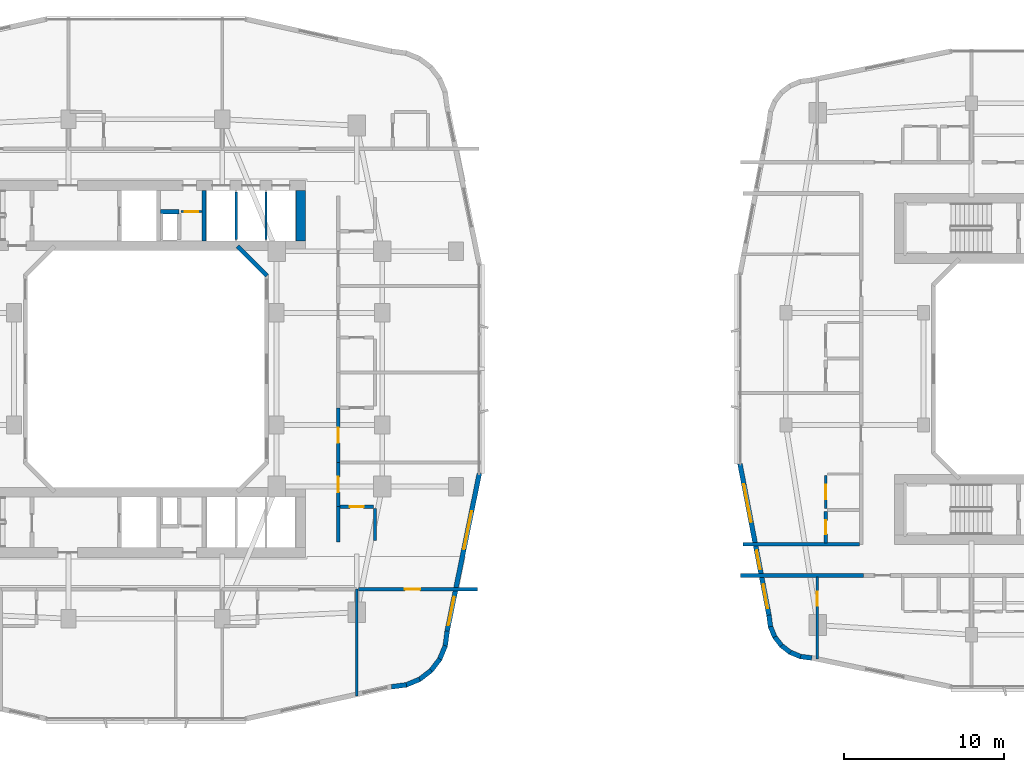
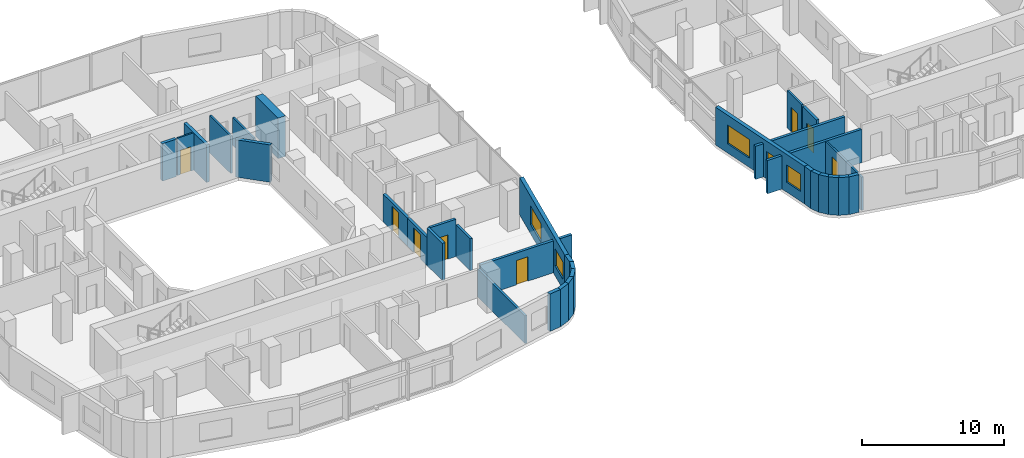
# One storey, part 15 of 27: 33 walls, 8 doors, 5 windows, 13 openings.
"""IFC4 building model written with IfcOpenShell, lengths in metres."""

import ifcopenshell
import ifcopenshell.guid

model = None  # the IFC model being written
_history = None  # IfcOwnerHistory: only IFC2X3 demands one
_inside = {}  # id of a spatial element -> (the spatial element, [elements in it])
_under = {}  # id of a project, library or spatial element -> (it, [spatial elements below it])
_declared = {}  # id of a project -> (the project, [libraries it declares])
_typed = {}  # id of a type object -> (the type object, [elements of that type])
_made_of = {}  # id of a material, layer set ... -> (it, [elements and type objects made of it])


def new_model(schema):
    """Start an empty IFC model of exactly this schema.

    Asked for "IFC4X3", IfcOpenShell would pick the latest addendum, in which some entities
    have other attributes; the version numbers below select the first issue.
    IFC2X3 requires an IfcOwnerHistory on every rooted entity: one is made here for all.
    """
    global model, _history
    if schema == "IFC4X3":
        model = ifcopenshell.file(schema_version=(4, 3, 0, 0))
    else:
        model = ifcopenshell.file(schema=schema)
    _inside.clear()
    _under.clear()
    _declared.clear()
    _typed.clear()
    _made_of.clear()
    _history = None
    if model.schema == "IFC2X3":
        org = make("IfcOrganization", Name="unknown")
        user = make(
            "IfcPersonAndOrganization",
            ThePerson=make("IfcPerson", FamilyName="unknown"),
            TheOrganization=org,
        )
        app = make(
            "IfcApplication",
            ApplicationDeveloper=org,
            Version="unknown",
            ApplicationFullName="unknown",
            ApplicationIdentifier="unknown",
        )
        _history = make(
            "IfcOwnerHistory",
            OwningUser=user,
            OwningApplication=app,
            ChangeAction="ADDED",
            CreationDate=0,
        )
    return model


def make(cls, **values):
    """One entity of the class cls with the attributes given. An attribute that is None is left unset."""
    return model.create_entity(
        cls, **{name: value for name, value in values.items() if value is not None}
    )


def rooted(cls, **values):
    """An entity with a GlobalId (a new one), such as an element, a storey or a relation."""
    return make(cls, GlobalId=ifcopenshell.guid.new(), OwnerHistory=_history, **values)


def si_unit(unit_type, name, prefix=None):
    """IfcSIUnit, for example si_unit("LENGTHUNIT", "METRE", prefix="MILLI")."""
    return make("IfcSIUnit", UnitType=unit_type, Prefix=prefix, Name=name)


def derived_unit(unit_type, elements):
    """IfcDerivedUnit: a product of units, each with its exponent."""
    return make(
        "IfcDerivedUnit",
        Elements=[
            make("IfcDerivedUnitElement", Unit=unit, Exponent=power)
            for unit, power in elements
        ],
        UnitType=unit_type,
    )


def assignment(units):
    """IfcUnitAssignment: the units of a project."""
    return None if units is None else make("IfcUnitAssignment", Units=units)


def point(xyz):
    """IfcCartesianPoint."""
    return None if xyz is None else make("IfcCartesianPoint", Coordinates=xyz)


def direction(xyz):
    """IfcDirection."""
    return None if xyz is None else make("IfcDirection", DirectionRatios=xyz)


def frame(location, z_axis=None, x_axis=None):
    """IfcAxis2Placement3D, a coordinate frame: its origin and axes. An axis left out is left unset."""
    return make(
        "IfcAxis2Placement3D",
        Location=point(location),
        Axis=direction(z_axis),
        RefDirection=direction(x_axis),
    )


def frame_2d(location, x_axis=None):
    """IfcAxis2Placement2D, a coordinate frame in the plane: its origin and x axis."""
    return make(
        "IfcAxis2Placement2D", Location=point(location), RefDirection=direction(x_axis)
    )


def origin():
    """The frame at (0, 0, 0) with its axes left unset."""
    return frame((0.0, 0.0, 0.0))


def place(relative_to, where):
    """IfcLocalPlacement: puts the frame where relative to a parent placement (None: the world)."""
    return make(
        "IfcLocalPlacement", PlacementRelTo=relative_to, RelativePlacement=where
    )


def context(
    kind, dimensions, precision=None, world=None, true_north=None, identifier=None
):
    """IfcGeometricRepresentationContext, for example the 3D "Model" context."""
    return make(
        "IfcGeometricRepresentationContext",
        ContextIdentifier=identifier,
        ContextType=kind,
        CoordinateSpaceDimension=dimensions,
        Precision=precision,
        WorldCoordinateSystem=world,
        TrueNorth=true_north,
    )


def subcontext(parent, identifier, kind, view, scale=None):
    """IfcGeometricRepresentationSubContext, for example "Body" below "Model"."""
    return make(
        "IfcGeometricRepresentationSubContext",
        ContextIdentifier=identifier,
        ContextType=kind,
        ParentContext=parent,
        TargetScale=scale,
        TargetView=view,
    )


def project(units=None, contexts=None):
    """IfcProject with its units and contexts."""
    return rooted(
        "IfcProject",
        Name="project",
        RepresentationContexts=contexts,
        UnitsInContext=assignment(units),
    )


def spatial(cls, under=None, at=None, **own):
    """A site, building, storey or space (cls), placed at a placement, below another one or the project."""
    s = rooted(cls, ObjectPlacement=at, **own)
    if under is not None:
        _under.setdefault(under.id(), (under, []))[1].append(s)
    return s


def profile(cls, at=None, kind="AREA", **sizes):
    """A parametric profile (cls). Its sizes go by their IFC names, for example OverallWidth=200.0."""
    return make(cls, ProfileType=kind, Position=at, **sizes)


def rectangle(**sizes):
    """IfcRectangleProfileDef."""
    return profile("IfcRectangleProfileDef", **sizes)


def extrude(swept, where, along, depth):
    """IfcExtrudedAreaSolid: the profile swept, set in the frame where, extruded along a direction by depth."""
    return make(
        "IfcExtrudedAreaSolid",
        SweptArea=swept,
        Position=where,
        ExtrudedDirection=direction(along),
        Depth=depth,
    )


def shape(context_of_items, identifier, shape_type, items):
    """IfcShapeRepresentation: the items that make up one representation, for example the "Body"."""
    return make(
        "IfcShapeRepresentation",
        ContextOfItems=context_of_items,
        RepresentationIdentifier=identifier,
        RepresentationType=shape_type,
        Items=items,
    )


def material(Name=None, Category=None):
    """IfcMaterial."""
    return make("IfcMaterial", Name=Name, Category=Category)


def layer(
    of_material, thickness, ventilated=None, Name=None, Category=None, Priority=None
):
    """IfcMaterialLayer: one layer of a wall or slab, of a material (None: an air gap)."""
    return make(
        "IfcMaterialLayer",
        Material=of_material,
        LayerThickness=thickness,
        IsVentilated=ventilated,
        Name=Name,
        Category=Category,
        Priority=Priority,
    )


def layer_set(layers, Name=None):
    """IfcMaterialLayerSet."""
    return make("IfcMaterialLayerSet", MaterialLayers=layers, LayerSetName=Name)


def made_of(thing, what):
    """Note that an element or type object is made of a material, layer set ...; save() writes the relation."""
    if what is not None:
        _made_of.setdefault(what.id(), (what, []))[1].append(thing)
    return thing


def type_object(cls, material=None, **own):
    """A type object (cls), such as IfcWallType, which elements share."""
    return made_of(rooted(cls, **own), material)


def element(
    cls,
    number,
    at=None,
    inside=None,
    cuts=None,
    type_object=None,
    material=None,
    context=None,
    identifier="Body",
    shape_type=None,
    held_by="IfcProductDefinitionShape",
    body=None,
    shapes=None,
    **own,
):
    """One element of the class cls, such as IfcWall. Its Tag is "e" and its number.

    at: its placement. inside: the storey or other place that contains it. cuts: it is an
    opening in that element (IfcRelVoidsElement). A single representation is given by context,
    identifier, shape_type and body (its items); several are given by shapes. held_by: the class
    of the entity that holds the representations. save() writes the other relations.
    """
    e = rooted(cls, Tag="e%d" % number, ObjectPlacement=at, **own)
    if body is not None:
        shapes = [shape(context, identifier, shape_type, body)]
    if shapes is not None:
        e.Representation = make(held_by, Representations=shapes)
    if inside is not None:
        _inside.setdefault(inside.id(), (inside, []))[1].append(e)
    if cuts is not None:
        rooted(
            "IfcRelVoidsElement", RelatingBuildingElement=cuts, RelatedOpeningElement=e
        )
    if type_object is not None:
        _typed.setdefault(type_object.id(), (type_object, []))[1].append(e)
    return made_of(e, material)


def fill(opening, filler):
    """IfcRelFillsElement: the door or window that sits in an opening."""
    return rooted(
        "IfcRelFillsElement",
        RelatingOpeningElement=opening,
        RelatedBuildingElement=filler,
    )


def aggregate(whole, parts):
    """IfcRelAggregates: a whole, such as a stair, and the parts it consists of."""
    return rooted("IfcRelAggregates", RelatingObject=whole, RelatedObjects=parts)


def save(model, path):
    """Write the relations noted so far, then the file.

    IfcRelAggregates (storeys below a building ...), IfcRelContainedInSpatialStructure (elements
    in a storey), IfcRelDefinesByType, IfcRelAssociatesMaterial and IfcRelDeclares: one each for
    every whole, place, type object, material and project.
    """
    for whole, parts in _under.values():
        aggregate(whole, parts)
    for where, things in _inside.values():
        rooted(
            "IfcRelContainedInSpatialStructure",
            RelatedElements=things,
            RelatingStructure=where,
        )
    for kind, things in _typed.values():
        rooted("IfcRelDefinesByType", RelatedObjects=things, RelatingType=kind)
    for what, things in _made_of.values():
        rooted("IfcRelAssociatesMaterial", RelatedObjects=things, RelatingMaterial=what)
    for by, libraries in _declared.values():
        rooted("IfcRelDeclares", RelatingContext=by, RelatedDefinitions=libraries)
    model.write(path)


model = new_model("IFC4")

# Units and contexts
model_context = context("Model", 3, precision=1e-05, world=origin(), true_north=direction((0.0, 1.0)))
body_context = subcontext(model_context, "Body", "Model", "MODEL_VIEW")
ifc_project = project(units=[si_unit("LENGTHUNIT", "METRE"), si_unit("AREAUNIT", "SQUARE_METRE"), si_unit("VOLUMEUNIT", "CUBIC_METRE"), si_unit("PLANEANGLEUNIT", "RADIAN"), si_unit("MASSUNIT", "GRAM", prefix="KILO"), derived_unit("THERMALTRANSMITTANCEUNIT", [(si_unit("POWERUNIT", "WATT"), 1), (si_unit("LENGTHUNIT", "METRE"), -2), (si_unit("THERMODYNAMICTEMPERATUREUNIT", "KELVIN"), -1)])], contexts=[model_context])

# Site, building, storey
site_placement = place(None, origin())
site = spatial("IfcSite", under=ifc_project, at=site_placement, CompositionType="ELEMENT")
building_placement = place(site_placement, origin())
building = spatial("IfcBuilding", under=site, at=building_placement, Name="Kivonza Crest Hotel", CompositionType="ELEMENT")
storey_placement = place(building_placement, frame((0.0, 0.0, 38.0)))
storey = spatial("IfcBuildingStorey", under=building, at=storey_placement, Name="L09", CompositionType="ELEMENT", Elevation=38.0)

# Wall
ifc_material_1 = material(Name="High-density acoustic masonry inter-tenancy wall", Category="masonry")
ifc_layer_1 = layer(ifc_material_1, 0.179931640625)
ifc_layer_set_1 = layer_set([ifc_layer_1], Name="High-density acoustic masonry inter-tenancy wall")
wall_type_1 = type_object("IfcWallType", Name="WL-ACOU-180", PredefinedType="SOLIDWALL", material=ifc_layer_set_1)
wall_1_placement = place(storey_placement, frame((34.199951171875, 4.575927734375, 0.0), z_axis=(0.0, 0.0, 1.0), x_axis=(0.0, 1.0, 0.0)))
element("IfcWall", 1, at=wall_1_placement, inside=storey, type_object=wall_type_1, Name="L09 interior partition WA-L09-T1S-DIV3", PredefinedType="SOLIDWALL", context=body_context, shape_type="SweptSolid", body=[
    extrude(rectangle(XDim=6.674072265625, YDim=0.179931640625, at=frame_2d((3.3369140625, 0.0))), origin(), (0.0, 0.0, 1.0), 2.39501953125),
])

# Wall, opening, door
ifc_material_2 = material(Name="Autoclaved aerated concrete blockwork", Category="masonry")
ifc_layer_2 = layer(ifc_material_2, 0.219970703125)
ifc_layer_set_2 = layer_set([ifc_layer_2], Name="Autoclaved aerated concrete blockwork")
wall_type_2 = type_object("IfcWallType", Name="WL-ACOU-220", PredefinedType="SOLIDWALL", material=ifc_layer_set_2)
wall_2_placement = place(storey_placement, frame((34.300048828125, 11.25, 0.0), z_axis=(0.0, 0.0, 1.0), x_axis=(1.0, 0.0, 0.0)))
wall_2 = element("IfcWall", 2, at=wall_2_placement, inside=storey, type_object=wall_type_2, Name="L09 interior partition WA-L09-BUS-MTG-N", PredefinedType="SOLIDWALL", context=body_context, shape_type="SweptSolid", body=[
    extrude(rectangle(XDim=7.43994140625, YDim=0.219970703125, at=frame_2d((3.719970703125, 0.0))), origin(), (0.0, 0.0, 1.0), 2.7451171875),
])
opening_1_placement = place(wall_2_placement, frame((2.910888671875, 0.0, 0.0)))
opening_1 = element("IfcOpeningElement", 3, at=opening_1_placement, cuts=wall_2, Name="Opening DF-60S", PredefinedType="OPENING", context=body_context, shape_type="SweptSolid", body=[
    extrude(rectangle(XDim=0.949951171875, YDim=2.10009765625, at=frame_2d((0.47509765625, 1.050048828125))), frame((0.0, 0.1201171875, 0.0), z_axis=(0.0, -1.0, 0.0), x_axis=(1.0, 0.0, 0.0)), (0.0, 0.0, 1.0), 0.239990234375),
])
ifc_material_3 = material(Name="Hardwood timber oak", Category="wood")
door_type_1 = type_object("IfcDoorType", Name="DR-FD60-950", OperationType="NOTDEFINED", PredefinedType="DOOR", material=ifc_material_3)
door_1_placement = place(opening_1_placement, frame((0.949951171875, 0.0, 0.0), z_axis=(0.0, 0.0, 1.0), x_axis=(-1.0, 0.0, 0.0)))
door_1 = element("IfcDoor", 4, at=door_1_placement, inside=storey, type_object=door_type_1, Name="L09 Private Fitness Gym Studio door", OperationType="SINGLE_SWING_RIGHT", OverallHeight=2.10009765625, OverallWidth=0.949951171875, PredefinedType="DOOR", context=body_context, shape_type="SweptSolid", body=[
    extrude(rectangle(XDim=0.949951171875, YDim=2.10009765625, at=frame_2d((0.47509765625, 1.050048828125))), frame((0.0, 0.02490234375, 0.0), z_axis=(0.0, -1.0, 0.0), x_axis=(1.0, 0.0, 0.0)), (0.0, 0.0, 1.0), 0.050048828125),
])
fill(opening_1, door_1)

# Wall
wall_3_placement = place(storey_placement, frame((33.050048828125, 14.199951171875, 0.0), z_axis=(0.0, 0.0, 1.0), x_axis=(0.0, 1.0, 0.0)))
element("IfcWall", 5, at=wall_3_placement, inside=storey, type_object=wall_type_2, Name="L09 interior partition WA-L09-E09-BCORR", PredefinedType="SOLIDWALL", context=body_context, shape_type="SweptSolid", body=[
    extrude(rectangle(XDim=2.199951171875, YDim=0.219970703125, at=frame_2d((1.10009765625, 0.0))), origin(), (0.0, 0.0, 1.0), 3.219970703125),
])

# Wall, opening, door
wall_4_placement = place(storey_placement, frame((33.050048828125, 16.39990234375, 0.0), z_axis=(0.0, 0.0, 1.0), x_axis=(0.0, 1.0, 0.0)))
wall_4 = element("IfcWall", 6, at=wall_4_placement, inside=storey, type_object=wall_type_2, Name="L09 interior partition WA-L09-E09-MCORR", PredefinedType="SOLIDWALL", context=body_context, shape_type="SweptSolid", body=[
    extrude(rectangle(XDim=2.756103515625, YDim=0.219970703125, at=frame_2d((1.3779296875, 0.0))), origin(), (0.0, 0.0, 1.0), 2.39501953125),
])
opening_2_placement = place(wall_4_placement, frame((0.903076171875, 0.0, 0.0)))
opening_2 = element("IfcOpeningElement", 7, at=opening_2_placement, cuts=wall_4, Name="Opening DU-60", PredefinedType="OPENING", context=body_context, shape_type="SweptSolid", body=[
    extrude(rectangle(XDim=0.949951171875, YDim=2.10009765625, at=frame_2d((0.47509765625, 1.050048828125))), frame((0.0, 0.1201171875, 0.0), z_axis=(0.0, -1.0, 0.0), x_axis=(1.0, 0.0, 0.0)), (0.0, 0.0, 1.0), 0.239990234375),
])
door_type_2 = type_object("IfcDoorType", Name="DR-UNIT-950", OperationType="NOTDEFINED", PredefinedType="DOOR", material=ifc_material_3)
door_2_placement = place(opening_2_placement, frame((0.949951171875, 0.0, 0.0), z_axis=(0.0, 0.0, 1.0), x_axis=(-1.0, 0.0, 0.0)))
door_2 = element("IfcDoor", 8, at=door_2_placement, inside=storey, type_object=door_type_2, Name="L09 E09 guest unit entrance fire door", OperationType="SINGLE_SWING_LEFT", OverallHeight=2.10009765625, OverallWidth=0.949951171875, PredefinedType="DOOR", context=body_context, shape_type="SweptSolid", body=[
    extrude(rectangle(XDim=0.949951171875, YDim=2.10009765625, at=frame_2d((0.47509765625, 1.050048828125))), frame((0.0, 0.02490234375, 0.0), z_axis=(0.0, -1.0, 0.0), x_axis=(1.0, 0.0, 0.0)), (0.0, 0.0, 1.0), 0.050048828125),
])
fill(opening_2, door_2)

wall_5_placement = place(storey_placement, frame((33.050048828125, 19.156005859375, 0.0), z_axis=(0.0, 0.0, 1.0), x_axis=(0.0, 1.0, 0.0)))
wall_5 = element("IfcWall", 9, at=wall_5_placement, inside=storey, type_object=wall_type_2, Name="L09 interior partition WA-L09-E10-MCORR", PredefinedType="SOLIDWALL", context=body_context, shape_type="SweptSolid", body=[
    extrude(rectangle(XDim=3.416015625, YDim=0.219970703125, at=frame_2d((1.7080078125, 0.0))), origin(), (0.0, 0.0, 1.0), 2.39501953125),
])
opening_3_placement = place(wall_5_placement, frame((1.23291015625, 0.0, 0.0)))
opening_3 = element("IfcOpeningElement", 10, at=opening_3_placement, cuts=wall_5, Name="Opening DU-60", PredefinedType="OPENING", context=body_context, shape_type="SweptSolid", body=[
    extrude(rectangle(XDim=0.949951171875, YDim=2.10009765625, at=frame_2d((0.47509765625, 1.050048828125))), frame((0.0, 0.1201171875, 0.0), z_axis=(0.0, -1.0, 0.0), x_axis=(1.0, 0.0, 0.0)), (0.0, 0.0, 1.0), 0.239990234375),
])
door_3_placement = place(opening_3_placement, frame((0.949951171875, 0.0, 0.0), z_axis=(0.0, 0.0, 1.0), x_axis=(-1.0, 0.0, 0.0)))
door_3 = element("IfcDoor", 11, at=door_3_placement, inside=storey, type_object=door_type_2, Name="L09 E10 guest unit entrance fire door", OperationType="SINGLE_SWING_RIGHT", OverallHeight=2.10009765625, OverallWidth=0.949951171875, PredefinedType="DOOR", context=body_context, shape_type="SweptSolid", body=[
    extrude(rectangle(XDim=0.949951171875, YDim=2.10009765625, at=frame_2d((0.47509765625, 1.050048828125))), frame((0.0, 0.02490234375, 0.0), z_axis=(0.0, -1.0, 0.0), x_axis=(1.0, 0.0, 0.0)), (0.0, 0.0, 1.0), 0.050048828125),
])
fill(opening_3, door_3)

# Walls
wall_6_placement = place(storey_placement, frame((58.159912109375, 12.10009765625, 0.0), z_axis=(0.0, 0.0, 1.0), x_axis=(1.0, 0.0, 0.0)))
element("IfcWall", 12, at=wall_6_placement, inside=storey, type_object=wall_type_2, Name="L09 interior partition WA-L09-A03-LCORR", PredefinedType="SOLIDWALL", context=body_context, shape_type="SweptSolid", body=[
    extrude(rectangle(XDim=7.690185546875, YDim=0.219970703125, at=frame_2d((3.84521484375, 0.0))), origin(), (0.0, 0.0, 1.0), 2.864990234375),
])
wall_7_placement = place(storey_placement, frame((58.320068359375, 14.0400390625, 0.0), z_axis=(0.0, 0.0, 1.0), x_axis=(1.0, 0.0, 0.0)))
element("IfcWall", 13, at=wall_7_placement, inside=storey, type_object=wall_type_2, Name="L09 interior partition WA-L09-T2W-ENDS", PredefinedType="SOLIDWALL", context=body_context, shape_type="SweptSolid", body=[
    extrude(rectangle(XDim=7.280029296875, YDim=0.219970703125, at=frame_2d((3.64013671875, 0.0))), origin(), (0.0, 0.0, 1.0), 2.864990234375),
])
ifc_material_4 = material(Name="Concrete C60/75", Category="concrete")
ifc_layer_3 = layer(ifc_material_4, 0.60009765625)
ifc_layer_set_3 = layer_set([ifc_layer_3], Name="Concrete C60/75")
wall_type_3 = type_object("IfcWallType", Name="WL-CORE-600", PredefinedType="SHEAR", material=ifc_layer_set_3)
wall_8_placement = place(storey_placement, frame((30.699951171875, 33.0, 0.0), z_axis=(0.0, 0.0, 1.0), x_axis=(0.0, 1.0, 0.0)))
element("IfcWall", 14, at=wall_8_placement, inside=storey, type_object=wall_type_3, Name="Core wall T1-N East L09", PredefinedType="SHEAR", context=body_context, shape_type="SweptSolid", body=[
    extrude(rectangle(XDim=3.159912109375, YDim=0.60009765625, at=frame_2d((1.580078125, 0.0))), origin(), (0.0, 0.0, 1.0), 3.5),
])
ifc_material_5 = material(Name="Precast concrete C40/50", Category="concrete")
ifc_layer_4 = layer(ifc_material_5, 0.260009765625)
ifc_layer_set_4 = layer_set([ifc_layer_4], Name="Precast concrete C40/50")
wall_type_4 = type_object("IfcWallType", Name="WL-EXT-260", PredefinedType="STANDARD", material=ifc_layer_set_4)
wall_9_placement = place(storey_placement, frame((28.595947265625, 30.827880859375, 0.0), z_axis=(0.0, 0.0, 1.0), x_axis=(-0.707059717605, 0.707153841636, 0.0)))
element("IfcWall", 15, at=wall_9_placement, inside=storey, type_object=wall_type_4, Name="L09 T1 light-well exterior wall 4", PredefinedType="STANDARD", context=body_context, shape_type="SweptSolid", body=[
    extrude(rectangle(XDim=2.59375, YDim=0.260009765625, at=frame_2d((1.296875, 0.0))), origin(), (0.0, 0.0, 1.0), 3.219970703125),
])
ifc_layer_5 = layer(ifc_material_5, 0.300048828125)
ifc_layer_set_5 = layer_set([ifc_layer_5], Name="Precast concrete C40/50")
wall_type_5 = type_object("IfcWallType", Name="WL-EXT-300", PredefinedType="STANDARD", material=ifc_layer_set_5)
wall_10_placement = place(storey_placement, frame((36.3720703125, 5.14794921875, 0.0), z_axis=(0.0, 0.0, 1.0), x_axis=(0.991359246108, 0.131174864804, 0.0)))
element("IfcWall", 16, at=wall_10_placement, inside=storey, type_object=wall_type_5, Name="L09 T1 exterior insulated wall 10", PredefinedType="STANDARD", context=body_context, shape_type="SweptSolid", body=[
    extrude(rectangle(XDim=0.93798828125, YDim=0.300048828125, at=frame_2d((0.468994140625, 0.0))), origin(), (0.0, 0.0, 1.0), 3.219970703125),
])
wall_11_placement = place(storey_placement, frame((37.251953125, 5.251953125, 0.0), z_axis=(0.0, 0.0, 1.0), x_axis=(0.924019948111, 0.382344263057, 0.0)))
element("IfcWall", 17, at=wall_11_placement, inside=storey, type_object=wall_type_5, Name="L09 T1 exterior insulated wall 11", PredefinedType="STANDARD", context=body_context, shape_type="SweptSolid", body=[
    extrude(rectangle(XDim=0.95458984375, YDim=0.300048828125, at=frame_2d((0.477294921875, 0.0))), origin(), (0.0, 0.0, 1.0), 3.219970703125),
])
wall_12_placement = place(storey_placement, frame((38.089111328125, 5.5859375, 0.0), z_axis=(0.0, 0.0, 1.0), x_axis=(0.793573440799, 0.608474481025, 0.0)))
element("IfcWall", 18, at=wall_12_placement, inside=storey, type_object=wall_type_5, Name="L09 T1 exterior insulated wall 12", PredefinedType="STANDARD", context=body_context, shape_type="SweptSolid", body=[
    extrude(rectangle(XDim=0.954833984375, YDim=0.300048828125, at=frame_2d((0.4775390625, 0.0))), origin(), (0.0, 0.0, 1.0), 3.219970703125),
])
wall_13_placement = place(storey_placement, frame((38.81201171875, 6.125, 0.0), z_axis=(0.0, 0.0, 1.0), x_axis=(0.608351047625, 0.793668068435, 0.0)))
element("IfcWall", 19, at=wall_13_placement, inside=storey, type_object=wall_type_5, Name="L09 T1 exterior insulated wall 13", PredefinedType="STANDARD", context=body_context, shape_type="SweptSolid", body=[
    extrude(rectangle(XDim=0.955078125, YDim=0.300048828125, at=frame_2d((0.4775390625, 0.0))), origin(), (0.0, 0.0, 1.0), 3.219970703125),
])
wall_14_placement = place(storey_placement, frame((39.368896484375, 6.833984375, 0.0), z_axis=(0.0, 0.0, 1.0), x_axis=(0.382344263057, 0.924019948111, 0.0)))
element("IfcWall", 20, at=wall_14_placement, inside=storey, type_object=wall_type_5, Name="L09 T1 exterior insulated wall 14", PredefinedType="STANDARD", context=body_context, shape_type="SweptSolid", body=[
    extrude(rectangle(XDim=0.95458984375, YDim=0.300048828125, at=frame_2d((0.477294921875, 0.0))), origin(), (0.0, 0.0, 1.0), 3.219970703125),
])
wall_15_placement = place(storey_placement, frame((39.72509765625, 7.6630859375, 0.0), z_axis=(0.0, 0.0, 1.0), x_axis=(0.130454512571, 0.991454295543, 0.0)))
element("IfcWall", 21, at=wall_15_placement, inside=storey, type_object=wall_type_5, Name="L09 T1 exterior insulated wall 15", PredefinedType="STANDARD", context=body_context, shape_type="SweptSolid", body=[
    extrude(rectangle(XDim=0.97314453125, YDim=0.300048828125, at=frame_2d((0.486572265625, 0.0))), origin(), (0.0, 0.0, 1.0), 3.219970703125),
])

# Wall, openings, windows
wall_16_placement = place(storey_placement, frame((39.85107421875, 8.6220703125, 0.0), z_axis=(0.0, 0.0, 1.0), x_axis=(0.199990901713, 0.979797754249, 0.0)))
wall_16 = element("IfcWall", 22, at=wall_16_placement, inside=storey, type_object=wall_type_5, Name="L09 T1 exterior insulated wall 16", PredefinedType="STANDARD", context=body_context, shape_type="SweptSolid", body=[
    extrude(rectangle(XDim=10.065185546875, YDim=0.300048828125, at=frame_2d((5.03271484375, 0.0))), origin(), (0.0, 0.0, 1.0), 3.219970703125),
])
opening_4_placement = place(wall_16_placement, frame((0.3779296875, 0.0, 0.85009765625)))
opening_4 = element("IfcOpeningElement", 23, at=opening_4_placement, cuts=wall_16, Name="Opening WN-03", PredefinedType="OPENING", context=body_context, shape_type="SweptSolid", body=[
    extrude(rectangle(XDim=1.800048828125, YDim=1.5, at=frame_2d((0.89990234375, 0.75))), frame((0.0, 0.16015625, 0.0), z_axis=(0.0, -1.0, 0.0), x_axis=(1.0, 0.0, 0.0)), (0.0, 0.0, 1.0), 0.320068359375),
])
opening_5_placement = place(wall_16_placement, frame((5.236083984375, 0.0, 0.800048828125)))
opening_5 = element("IfcOpeningElement", 24, at=opening_5_placement, cuts=wall_16, Name="Opening WN-05", PredefinedType="OPENING", context=body_context, shape_type="SweptSolid", body=[
    extrude(rectangle(XDim=2.39990234375, YDim=1.60009765625, at=frame_2d((1.199951171875, 0.800048828125))), frame((0.0, 0.16015625, 0.0), z_axis=(0.0, -1.0, 0.0), x_axis=(1.0, 0.0, 0.0)), (0.0, 0.0, 1.0), 0.320068359375),
])
ifc_material_6 = material(Name="Thermally broken bronze aluminium and low-E double glazing", Category="aluminium")
window_type_1 = type_object("IfcWindowType", Name="WN-180x150", PartitioningType="DOUBLE_PANEL_VERTICAL", PredefinedType="WINDOW", material=ifc_material_6)
window_1_placement = place(opening_4_placement, origin())
window_1 = element("IfcWindow", 25, at=window_1_placement, inside=storey, type_object=window_type_1, Name="L09 T1 facade window 16 bay 1", OverallHeight=1.5, OverallWidth=1.800048828125, PartitioningType="SINGLE_PANEL", PredefinedType="WINDOW", context=body_context, shape_type="SweptSolid", body=[
    extrude(rectangle(XDim=1.800048828125, YDim=1.5, at=frame_2d((0.89990234375, 0.75))), frame((0.0, 0.030029296875, 0.0), z_axis=(0.0, -1.0, 0.0), x_axis=(1.0, 0.0, 0.0)), (0.0, 0.0, 1.0), 0.06005859375),
])
fill(opening_4, window_1)
window_type_2 = type_object("IfcWindowType", Name="WN-240x160", PartitioningType="TRIPLE_PANEL_VERTICAL", PredefinedType="WINDOW", material=ifc_material_6)
window_2_placement = place(opening_5_placement, origin())
window_2 = element("IfcWindow", 26, at=window_2_placement, inside=storey, type_object=window_type_2, Name="L09 T1 facade window 16 bay 2", OverallHeight=1.60009765625, OverallWidth=2.39990234375, PartitioningType="SINGLE_PANEL", PredefinedType="WINDOW", context=body_context, shape_type="SweptSolid", body=[
    extrude(rectangle(XDim=2.39990234375, YDim=1.60009765625, at=frame_2d((1.199951171875, 0.800048828125))), frame((0.0, 0.030029296875, 0.0), z_axis=(0.0, -1.0, 0.0), x_axis=(1.0, 0.0, 0.0)), (0.0, 0.0, 1.0), 0.06005859375),
])
fill(opening_5, window_2)

# Walls
wall_17_placement = place(storey_placement, frame((59.947998046875, 9.626953125, 0.0), z_axis=(0.0, 0.0, 1.0), x_axis=(0.130255288807, -0.991480488834, 0.0)))
element("IfcWall", 27, at=wall_17_placement, inside=storey, type_object=wall_type_5, Name="L09 T2 exterior insulated wall 1", PredefinedType="STANDARD", context=body_context, shape_type="SweptSolid", body=[
    extrude(rectangle(XDim=0.72900390625, YDim=0.300048828125, at=frame_2d((0.364501953125, 0.0))), origin(), (0.0, 0.0, 1.0), 3.25),
])
for number, where, z_axis, x_axis, name in (
    (28, (60.02392578125, 8.955078125, 0.0), (0.0, 0.0, 1.0), (0.383546213491, -0.923521684703, 0.0), "L09 T2 exterior insulated wall 2"),
    (29, (60.279052734375, 8.31103515625, 0.0), (0.0, 0.0, 1.0), (0.608397189915, -0.79363269798, 0.0), "L09 T2 exterior insulated wall 3"),
    (30, (60.69091796875, 7.75390625, 0.0), (0.0, 0.0, 1.0), (0.79363269798, -0.608397189915, 0.0), "L09 T2 exterior insulated wall 4"),
    (31, (61.23388671875, 7.323974609375, 0.0), (0.0, 0.0, 1.0), (0.923685632463, -0.383151213466, 0.0), "L09 T2 exterior insulated wall 5"),
):
    element("IfcWall", number, at=place(storey_placement, frame(where, z_axis=z_axis, x_axis=x_axis)), inside=storey, type_object=wall_type_5, Name=name, PredefinedType="STANDARD", context=body_context, shape_type="SweptSolid", body=[
        extrude(rectangle(XDim=0.74609375, YDim=0.300048828125, at=frame_2d((0.373046875, 0.0))), origin(), (0.0, 0.0, 1.0), 3.25),
    ])
wall_18_placement = place(storey_placement, frame((61.868896484375, 7.047119140625, 0.0), z_axis=(0.0, 0.0, 1.0), x_axis=(0.991559404866, -0.129653178221, 0.0)))
element("IfcWall", 32, at=wall_18_placement, inside=storey, type_object=wall_type_5, Name="L09 T2 exterior insulated wall 6", PredefinedType="STANDARD", context=body_context, shape_type="SweptSolid", body=[
    extrude(rectangle(XDim=0.764404296875, YDim=0.300048828125, at=frame_2d((0.38232421875, 0.0))), origin(), (0.0, 0.0, 1.0), 3.25),
])

# Wall, openings, windows
wall_19_placement = place(storey_placement, frame((58.136962890625, 19.08203125, 0.0), z_axis=(0.0, 0.0, 1.0), x_axis=(0.188087874316, -0.982152203854, 0.0)))
wall_19 = element("IfcWall", 33, at=wall_19_placement, inside=storey, type_object=wall_type_5, Name="L09 T2 exterior insulated wall 36", PredefinedType="STANDARD", context=body_context, shape_type="SweptSolid", body=[
    extrude(rectangle(XDim=9.6337890625, YDim=0.300048828125, at=frame_2d((4.81689453125, 0.0))), origin(), (0.0, 0.0, 1.0), 3.25),
])
opening_6_placement = place(wall_19_placement, frame((1.305908203125, 0.0, 0.800048828125)))
opening_6 = element("IfcOpeningElement", 34, at=opening_6_placement, cuts=wall_19, Name="Opening WN-05", PredefinedType="OPENING", context=body_context, shape_type="SweptSolid", body=[
    extrude(rectangle(XDim=2.39990234375, YDim=1.60009765625, at=frame_2d((1.199951171875, 0.800048828125))), frame((0.0, 0.16015625, 0.0), z_axis=(0.0, -1.0, 0.0), x_axis=(1.0, 0.0, 0.0)), (0.0, 0.0, 1.0), 0.320068359375),
])
opening_7_placement = place(wall_19_placement, frame((5.52099609375, 0.0, 0.85009765625)))
opening_7 = element("IfcOpeningElement", 35, at=opening_7_placement, cuts=wall_19, Name="Opening WN-01", PredefinedType="OPENING", context=body_context, shape_type="SweptSolid", body=[
    extrude(rectangle(XDim=1.199951171875, YDim=1.5, at=frame_2d((0.60009765625, 0.75))), frame((0.0, 0.16015625, 0.0), z_axis=(0.0, -1.0, 0.0), x_axis=(1.0, 0.0, 0.0)), (0.0, 0.0, 1.0), 0.320068359375),
])
opening_8_placement = place(wall_19_placement, frame((7.681884765625, 0.0, 0.85009765625)))
opening_8 = element("IfcOpeningElement", 36, at=opening_8_placement, cuts=wall_19, Name="Opening WN-02", PredefinedType="OPENING", context=body_context, shape_type="SweptSolid", body=[
    extrude(rectangle(XDim=1.5, YDim=1.5, at=frame_2d((0.75, 0.75))), frame((0.0, 0.16015625, 0.0), z_axis=(0.0, -1.0, 0.0), x_axis=(1.0, 0.0, 0.0)), (0.0, 0.0, 1.0), 0.320068359375),
])
window_type_3 = type_object("IfcWindowType", Name="WN-120x150", PartitioningType="SINGLE_PANEL", PredefinedType="WINDOW", material=ifc_material_6)
window_3_placement = place(opening_7_placement, origin())
window_3 = element("IfcWindow", 37, at=window_3_placement, inside=storey, type_object=window_type_3, Name="L09 T2 facade window 36 bay 2", OverallHeight=1.5, OverallWidth=1.199951171875, PartitioningType="SINGLE_PANEL", PredefinedType="WINDOW", context=body_context, shape_type="SweptSolid", body=[
    extrude(rectangle(XDim=1.199951171875, YDim=1.5, at=frame_2d((0.60009765625, 0.75))), frame((0.0, 0.030029296875, 0.0), z_axis=(0.0, -1.0, 0.0), x_axis=(1.0, 0.0, 0.0)), (0.0, 0.0, 1.0), 0.06005859375),
])
fill(opening_7, window_3)
window_type_4 = type_object("IfcWindowType", Name="WN-150x150", PartitioningType="DOUBLE_PANEL_VERTICAL", PredefinedType="WINDOW", material=ifc_material_6)
window_4_placement = place(opening_8_placement, origin())
window_4 = element("IfcWindow", 38, at=window_4_placement, inside=storey, type_object=window_type_4, Name="L09 T2 facade window 36 bay 3", OverallHeight=1.5, OverallWidth=1.5, PartitioningType="SINGLE_PANEL", PredefinedType="WINDOW", context=body_context, shape_type="SweptSolid", body=[
    extrude(rectangle(XDim=1.5, YDim=1.5, at=frame_2d((0.75, 0.75))), frame((0.0, 0.030029296875, 0.0), z_axis=(0.0, -1.0, 0.0), x_axis=(1.0, 0.0, 0.0)), (0.0, 0.0, 1.0), 0.06005859375),
])
fill(opening_8, window_4)
window_5_placement = place(opening_6_placement, origin())
window_5 = element("IfcWindow", 39, at=window_5_placement, inside=storey, type_object=window_type_2, Name="L09 T2 facade window 36 bay 1", OverallHeight=1.60009765625, OverallWidth=2.39990234375, PartitioningType="SINGLE_PANEL", PredefinedType="WINDOW", context=body_context, shape_type="SweptSolid", body=[
    extrude(rectangle(XDim=2.39990234375, YDim=1.60009765625, at=frame_2d((1.199951171875, 0.800048828125))), frame((0.0, 0.030029296875, 0.0), z_axis=(0.0, -1.0, 0.0), x_axis=(1.0, 0.0, 0.0)), (0.0, 0.0, 1.0), 0.06005859375),
])
fill(opening_6, window_5)

# Wall
ifc_material_7 = material(Name="Concrete blockwork fire-compartment wall", Category="masonry")
ifc_layer_6 = layer(ifc_material_7, 0.25)
ifc_layer_set_6 = layer_set([ifc_layer_6], Name="Concrete blockwork fire-compartment wall")
wall_type_6 = type_object("IfcWallType", Name="WL-FIRE-250", PredefinedType="SOLIDWALL", material=ifc_layer_set_6)
wall_20_placement = place(storey_placement, frame((21.949951171875, 34.820068359375, 0.0), z_axis=(0.0, 0.0, 1.0), x_axis=(1.0, 0.0, 0.0)))
element("IfcWall", 40, at=wall_20_placement, inside=storey, type_object=wall_type_6, Name="L09 interior partition WA-L09-T1-N-MEPR-H", PredefinedType="SOLIDWALL", context=body_context, shape_type="SweptSolid", body=[
    extrude(rectangle(XDim=1.150146484375, YDim=0.25, at=frame_2d((0.5751953125, 0.0))), origin(), (0.0, 0.0, 1.0), 3.219970703125),
])

# Wall, opening, door
ifc_material_8 = material(Name="Metal-stud gypsum board partition", Category="gypsum")
ifc_layer_7 = layer(ifc_material_8, 0.125)
ifc_layer_set_7 = layer_set([ifc_layer_7], Name="Metal-stud gypsum board partition")
wall_type_7 = type_object("IfcWallType", Name="WL-PART-125", PredefinedType="PARTITIONING", material=ifc_layer_set_7)
wall_21_placement = place(storey_placement, frame((23.219970703125, 34.820068359375, 0.0), z_axis=(0.0, 0.0, 1.0), x_axis=(1.0, 0.0, 0.0)))
wall_21 = element("IfcWall", 41, at=wall_21_placement, inside=storey, type_object=wall_type_7, Name="L09 interior partition WP-L09-T1-N-SV3H", PredefinedType="PARTITIONING", context=body_context, shape_type="SweptSolid", body=[
    extrude(rectangle(XDim=1.330078125, YDim=0.125, at=frame_2d((0.6650390625, 0.0))), origin(), (0.0, 0.0, 1.0), 3.219970703125),
])
opening_9_placement = place(wall_21_placement, frame((0.239990234375, 0.0, 0.0)))
opening_9 = element("IfcOpeningElement", 42, at=opening_9_placement, cuts=wall_21, Name="Opening DI-85", PredefinedType="OPENING", context=body_context, shape_type="SweptSolid", body=[
    extrude(rectangle(XDim=0.85009765625, YDim=2.10009765625, at=frame_2d((0.425048828125, 1.050048828125))), frame((0.0, 0.072509765625, 0.0), z_axis=(0.0, -1.0, 0.0), x_axis=(1.0, 0.0, 0.0)), (0.0, 0.0, 1.0), 0.14501953125),
])
door_type_3 = type_object("IfcDoorType", Name="DR-INT-850", OperationType="NOTDEFINED", PredefinedType="DOOR", material=ifc_material_3)
door_4_placement = place(opening_9_placement, origin())
door_4 = element("IfcDoor", 43, at=door_4_placement, inside=storey, type_object=door_type_3, Name="L09 T1-N inner manifold door", OperationType="SINGLE_SWING_LEFT", OverallHeight=2.10009765625, OverallWidth=0.85009765625, PredefinedType="DOOR", context=body_context, shape_type="SweptSolid", body=[
    extrude(rectangle(XDim=0.85009765625, YDim=2.10009765625, at=frame_2d((0.425048828125, 1.050048828125))), frame((0.0, 0.02490234375, 0.0), z_axis=(0.0, -1.0, 0.0), x_axis=(1.0, 0.0, 0.0)), (0.0, 0.0, 1.0), 0.050048828125),
])
fill(opening_9, door_4)

# Walls
ifc_material_9 = material(Name="Twin-stud acoustic gypsum board partition", Category="gypsum")
ifc_layer_8 = layer(ifc_material_9, 0.14990234375)
ifc_layer_set_8 = layer_set([ifc_layer_8], Name="Twin-stud acoustic gypsum board partition")
wall_type_8 = type_object("IfcWallType", Name="WL-PART-150", PredefinedType="PARTITIONING", material=ifc_layer_set_8)
wall_22_placement = place(storey_placement, frame((26.6669921875, 33.10009765625, 0.0), z_axis=(0.0, 0.0, 1.0), x_axis=(0.0, 1.0, 0.0)))
element("IfcWall", 44, at=wall_22_placement, inside=storey, type_object=wall_type_8, Name="L09 interior partition WP-L09-T1-N-BSH-1", PredefinedType="PARTITIONING", context=body_context, shape_type="SweptSolid", body=[
    extrude(rectangle(XDim=2.9599609375, YDim=0.14990234375, at=frame_2d((1.47998046875, 0.0))), origin(), (0.0, 0.0, 1.0), 3.219970703125),
])
wall_23_placement = place(storey_placement, frame((28.532958984375, 33.10009765625, 0.0), z_axis=(0.0, 0.0, 1.0), x_axis=(0.0, 1.0, 0.0)))
element("IfcWall", 45, at=wall_23_placement, inside=storey, type_object=wall_type_8, Name="L09 interior partition WP-L09-T1-N-BSH-2", PredefinedType="PARTITIONING", context=body_context, shape_type="SweptSolid", body=[
    extrude(rectangle(XDim=2.9599609375, YDim=0.14990234375, at=frame_2d((1.47998046875, 0.0))), origin(), (0.0, 0.0, 1.0), 2.39501953125),
])

# Wall, opening, door
wall_24_placement = place(storey_placement, frame((62.9599609375, 6.886962890625, 0.0), z_axis=(0.0, 0.0, 1.0), x_axis=(0.0, 1.0, 0.0)))
wall_24 = element("IfcWall", 46, at=wall_24_placement, inside=storey, type_object=wall_type_8, Name="L09 interior partition WP-L09-A03-BDW1", PredefinedType="PARTITIONING", context=body_context, shape_type="SweptSolid", body=[
    extrude(rectangle(XDim=5.113037109375, YDim=0.14990234375, at=frame_2d((2.556640625, 0.0))), origin(), (0.0, 0.0, 1.0), 2.864990234375),
])
opening_10_placement = place(wall_24_placement, frame((3.31005859375, 0.0, 0.0)))
opening_10 = element("IfcOpeningElement", 47, at=opening_10_placement, cuts=wall_24, Name="Opening DI-90", PredefinedType="OPENING", context=body_context, shape_type="SweptSolid", body=[
    extrude(rectangle(XDim=0.89990234375, YDim=2.10009765625, at=frame_2d((0.449951171875, 1.050048828125))), frame((0.0, 0.0849609375, 0.0), z_axis=(0.0, -1.0, 0.0), x_axis=(1.0, 0.0, 0.0)), (0.0, 0.0, 1.0), 0.169921875),
])
door_type_4 = type_object("IfcDoorType", Name="DR-INT-900", OperationType="NOTDEFINED", PredefinedType="DOOR", material=ifc_material_3)
door_5_placement = place(opening_10_placement, origin())
door_5 = element("IfcDoor", 48, at=door_5_placement, inside=storey, type_object=door_type_4, Name="L09 A03 bedroom 1 door", OperationType="SINGLE_SWING_RIGHT", OverallHeight=2.10009765625, OverallWidth=0.89990234375, PredefinedType="DOOR", context=body_context, shape_type="SweptSolid", body=[
    extrude(rectangle(XDim=0.89990234375, YDim=2.10009765625, at=frame_2d((0.449951171875, 1.050048828125))), frame((0.0, 0.02490234375, 0.0), z_axis=(0.0, -1.0, 0.0), x_axis=(1.0, 0.0, 0.0)), (0.0, 0.0, 1.0), 0.050048828125),
])
fill(opening_10, door_5)

wall_25_placement = place(storey_placement, frame((63.5, 16.2900390625, 0.0), z_axis=(0.0, 0.0, 1.0), x_axis=(0.0, 1.0, 0.0)))
wall_25 = element("IfcWall", 49, at=wall_25_placement, inside=storey, type_object=wall_type_8, Name="L09 interior partition WP-L09-A06-KSVC", PredefinedType="PARTITIONING", context=body_context, shape_type="SweptSolid", body=[
    extrude(rectangle(XDim=2.050048828125, YDim=0.14990234375, at=frame_2d((1.02490234375, 0.0))), origin(), (0.0, 0.0, 1.0), 3.219970703125),
])
opening_11_placement = place(wall_25_placement, frame((0.574951171875, 0.0, 0.0)))
opening_11 = element("IfcOpeningElement", 50, at=opening_11_placement, cuts=wall_25, Name="Opening DI-90", PredefinedType="OPENING", context=body_context, shape_type="SweptSolid", body=[
    extrude(rectangle(XDim=0.89990234375, YDim=2.10009765625, at=frame_2d((0.449951171875, 1.050048828125))), frame((0.0, 0.0849609375, 0.0), z_axis=(0.0, -1.0, 0.0), x_axis=(1.0, 0.0, 0.0)), (0.0, 0.0, 1.0), 0.169921875),
])
door_6_placement = place(opening_11_placement, origin())
door_6 = element("IfcDoor", 51, at=door_6_placement, inside=storey, type_object=door_type_4, Name="L09 A06 apartment kitchen door", OperationType="SINGLE_SWING_RIGHT", OverallHeight=2.10009765625, OverallWidth=0.89990234375, PredefinedType="DOOR", context=body_context, shape_type="SweptSolid", body=[
    extrude(rectangle(XDim=0.89990234375, YDim=2.10009765625, at=frame_2d((0.449951171875, 1.050048828125))), frame((0.0, 0.02490234375, 0.0), z_axis=(0.0, -1.0, 0.0), x_axis=(1.0, 0.0, 0.0)), (0.0, 0.0, 1.0), 0.050048828125),
])
fill(opening_11, door_6)

ifc_material_10 = material(Name="Moisture-resistant plumbing chase partition wall", Category="gypsum")
ifc_layer_9 = layer(ifc_material_10, 0.199951171875)
ifc_layer_set_9 = layer_set([ifc_layer_9], Name="Moisture-resistant plumbing chase partition wall")
wall_type_9 = type_object("IfcWallType", Name="WL-PLUMB-200", PredefinedType="PLUMBINGWALL", material=ifc_layer_set_9)
wall_26_placement = place(storey_placement, frame((33.14990234375, 16.39990234375, 0.0), z_axis=(0.0, 0.0, 1.0), x_axis=(1.0, 0.0, 0.0)))
wall_26 = element("IfcWall", 52, at=wall_26_placement, inside=storey, type_object=wall_type_9, Name="L09 interior partition WW-L09-E09-BH", PredefinedType="PLUMBINGWALL", context=body_context, shape_type="SweptSolid", body=[
    extrude(rectangle(XDim=2.10009765625, YDim=0.199951171875, at=frame_2d((1.050048828125, 0.0))), origin(), (0.0, 0.0, 1.0), 3.219970703125),
])
opening_12_placement = place(wall_26_placement, frame((0.625, 0.0, 0.0)))
opening_12 = element("IfcOpeningElement", 53, at=opening_12_placement, cuts=wall_26, Name="Opening DI-85", PredefinedType="OPENING", context=body_context, shape_type="SweptSolid", body=[
    extrude(rectangle(XDim=0.85009765625, YDim=2.10009765625, at=frame_2d((0.425048828125, 1.050048828125))), frame((0.0, 0.10986328125, 0.0), z_axis=(0.0, -1.0, 0.0), x_axis=(1.0, 0.0, 0.0)), (0.0, 0.0, 1.0), 0.219970703125),
])
door_7_placement = place(opening_12_placement, origin())
door_7 = element("IfcDoor", 54, at=door_7_placement, inside=storey, type_object=door_type_3, Name="L09 E09 en-suite bathroom door", OperationType="SINGLE_SWING_RIGHT", OverallHeight=2.10009765625, OverallWidth=0.85009765625, PredefinedType="DOOR", context=body_context, shape_type="SweptSolid", body=[
    extrude(rectangle(XDim=0.85009765625, YDim=2.10009765625, at=frame_2d((0.425048828125, 1.050048828125))), frame((0.0, 0.02490234375, 0.0), z_axis=(0.0, -1.0, 0.0), x_axis=(1.0, 0.0, 0.0)), (0.0, 0.0, 1.0), 0.050048828125),
])
fill(opening_12, door_7)

# Wall
wall_27_placement = place(storey_placement, frame((35.35009765625, 14.300048828125, 0.0), z_axis=(0.0, 0.0, 1.0), x_axis=(0.0, 1.0, 0.0)))
element("IfcWall", 55, at=wall_27_placement, inside=storey, type_object=wall_type_9, Name="L09 interior partition WW-L09-E09-BV", PredefinedType="PLUMBINGWALL", context=body_context, shape_type="SweptSolid", body=[
    extrude(rectangle(XDim=2.0, YDim=0.199951171875, at=frame_2d((1.0, 0.0))), origin(), (0.0, 0.0, 1.0), 2.7451171875),
])

# Wall, opening, door
wall_28_placement = place(storey_placement, frame((63.5, 14.139892578125, 0.0), z_axis=(0.0, 0.0, 1.0), x_axis=(0.0, 1.0, 0.0)))
wall_28 = element("IfcWall", 56, at=wall_28_placement, inside=storey, type_object=wall_type_9, Name="L09 interior partition WW-L09-A06-BSVC", PredefinedType="PLUMBINGWALL", context=body_context, shape_type="SweptSolid", body=[
    extrude(rectangle(XDim=1.9501953125, YDim=0.199951171875, at=frame_2d((0.97509765625, 0.0))), origin(), (0.0, 0.0, 1.0), 3.219970703125),
])
opening_13_placement = place(wall_28_placement, frame((0.550048828125, 0.0, 0.0)))
opening_13 = element("IfcOpeningElement", 57, at=opening_13_placement, cuts=wall_28, Name="Opening DI-85", PredefinedType="OPENING", context=body_context, shape_type="SweptSolid", body=[
    extrude(rectangle(XDim=0.85009765625, YDim=2.10009765625, at=frame_2d((0.425048828125, 1.050048828125))), frame((0.0, 0.10986328125, 0.0), z_axis=(0.0, -1.0, 0.0), x_axis=(1.0, 0.0, 0.0)), (0.0, 0.0, 1.0), 0.219970703125),
])
door_8_placement = place(opening_13_placement, origin())
door_8 = element("IfcDoor", 58, at=door_8_placement, inside=storey, type_object=door_type_3, Name="L09 A06 apartment bathroom door", OperationType="SINGLE_SWING_LEFT", OverallHeight=2.10009765625, OverallWidth=0.85009765625, PredefinedType="DOOR", context=body_context, shape_type="SweptSolid", body=[
    extrude(rectangle(XDim=0.85009765625, YDim=2.10009765625, at=frame_2d((0.425048828125, 1.050048828125))), frame((0.0, 0.02490234375, 0.0), z_axis=(0.0, -1.0, 0.0), x_axis=(1.0, 0.0, 0.0)), (0.0, 0.0, 1.0), 0.050048828125),
])
fill(opening_13, door_8)

# Wall
ifc_material_11 = material(Name="Concrete C50/60", Category="concrete")
ifc_layer_10 = layer(ifc_material_11, 0.25)
ifc_layer_set_10 = layer_set([ifc_layer_10], Name="Concrete C50/60")
wall_type_10 = type_object("IfcWallType", Name="WL-SHAFT-250", PredefinedType="STANDARD", material=ifc_layer_set_10)
wall_29_placement = place(storey_placement, frame((24.675048828125, 33.0, 0.0), z_axis=(0.0, 0.0, 1.0), x_axis=(0.0, 1.0, 0.0)))
element("IfcWall", 59, at=wall_29_placement, inside=storey, type_object=wall_type_10, Name="Core shaft wall T1-N BANK-W L09", PredefinedType="STANDARD", context=body_context, shape_type="SweptSolid", body=[
    extrude(rectangle(XDim=3.159912109375, YDim=0.25, at=frame_2d((1.580078125, 0.0))), origin(), (0.0, 0.0, 1.0), 3.219970703125),
])

save(model, "model.ifc")
